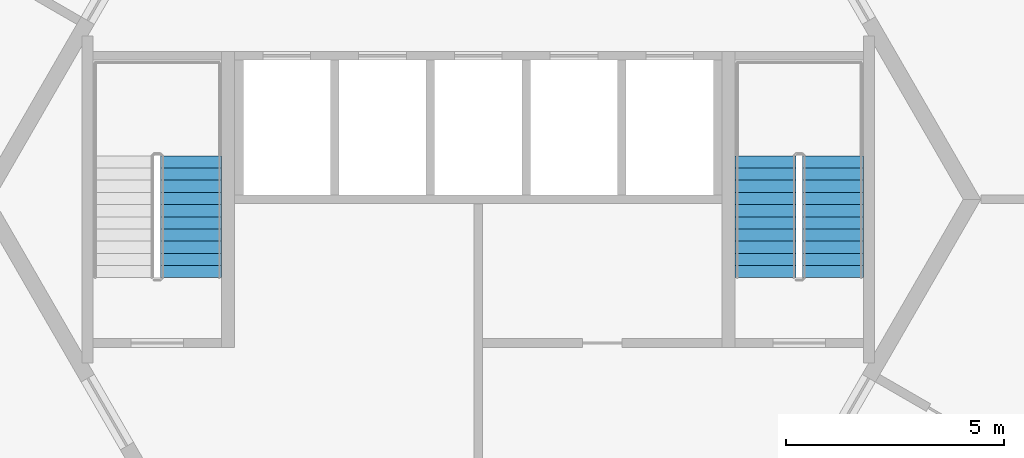
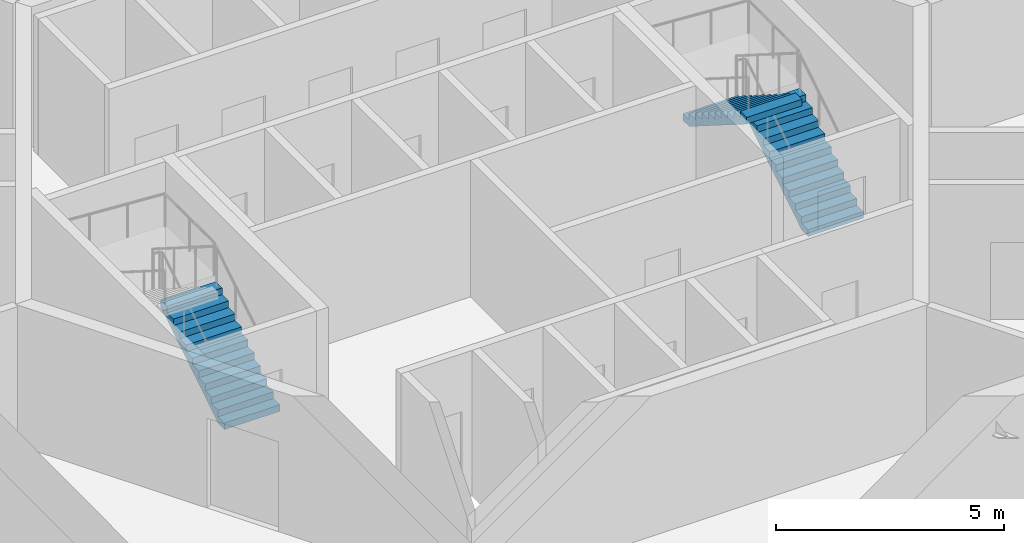
# One storey, part 11 of 12: 3 stair flights, 2 elements without a shape of their own.
"""IFC4 building model written with IfcOpenShell, lengths in metres."""

from ifc_helpers import new_model, si_unit, direction, frame, origin, place, context, subcontext, project, spatial, polyline, outline, extrude, material, type_object, element, aggregate, save


model = new_model("IFC4")

# Units and contexts
model_context = context("Model", 3, precision=1e-05, world=origin(), true_north=direction((0.0, 1.0)))
body_context = subcontext(model_context, "Body", "Model", "MODEL_VIEW")
ifc_project = project(units=[si_unit("LENGTHUNIT", "METRE"), si_unit("AREAUNIT", "SQUARE_METRE"), si_unit("VOLUMEUNIT", "CUBIC_METRE"), si_unit("PLANEANGLEUNIT", "RADIAN"), si_unit("MASSUNIT", "GRAM", prefix="KILO")], contexts=[model_context])

# Site, building, storey
site_placement = place(None, origin())
site = spatial("IfcSite", under=ifc_project, at=site_placement, CompositionType="ELEMENT")
building_placement = place(site_placement, origin())
building = spatial("IfcBuilding", under=site, at=building_placement, Name="Tarnside Tower", CompositionType="ELEMENT")
storey_placement = place(building_placement, frame((0.0, 0.0, 76.5)))
storey = spatial("IfcBuildingStorey", under=building, at=storey_placement, Name="L16", CompositionType="ELEMENT", Elevation=76.5)

# Stair, stair flights
ifc_material = material(Name="Concrete C40/50", Category="concrete")
stair_type = type_object("IfcStairType", Name="Exit stair 1400 clear", PredefinedType="HALF_TURN_STAIR", material=ifc_material)
stair_1_placement = place(storey_placement, origin())
stair_1 = element("IfcStair", 1, at=stair_1_placement, inside=storey, type_object=stair_type, Name="L16 Exit stair 1", PredefinedType="HALF_TURN_STAIR")
stair_flight_type = type_object("IfcStairFlightType", Name="Exit stair flight 1400", PredefinedType="STRAIGHT", material=ifc_material)
stair_flight_1_placement = place(storey_placement, frame((8.14990234375, -1.800048828125, 0.0), z_axis=(0.0, 0.0, 1.0), x_axis=(0.0, 1.0, 0.0)))
stair_flight_1 = element("IfcStairFlight", 2, at=stair_flight_1_placement, type_object=stair_flight_type, Name="ST1 flight 1", NumberOfRisers=11, NumberOfTreads=10, PredefinedType="STRAIGHT", RiserHeight=0.177272727, TreadLength=0.28, context=body_context, shape_type="SweptSolid", body=[
    extrude(outline(polyline([(0.0, 0.0), (0.0, 0.17724609375), (0.280029296875, 0.17724609375), (0.280029296875, 0.3544921875), (0.56005859375, 0.3544921875), (0.56005859375, 0.53173828125), (0.840087890625, 0.53173828125), (0.840087890625, 0.708984375), (1.1201171875, 0.708984375), (1.1201171875, 0.886474609375), (1.39990234375, 0.886474609375), (1.39990234375, 1.063720703125), (1.679931640625, 1.063720703125), (1.679931640625, 1.240966796875), (1.9599609375, 1.240966796875), (1.9599609375, 1.418212890625), (2.239990234375, 1.418212890625), (2.239990234375, 1.595458984375), (2.52001953125, 1.595458984375), (2.52001953125, 1.772705078125), (2.800048828125, 1.772705078125), (2.800048828125, 1.949951171875), (2.800048828125, 1.59521484375), (0.2802734375, 0.0), (0.0, 0.0)])), frame((0.0, 0.699951171875, 0.0), z_axis=(0.0, -1.0, 0.0), x_axis=(1.0, 0.0, 0.0)), (0.0, 0.0, 1.0), 1.39990234375),
])
stair_flight_2_placement = place(storey_placement, frame((6.60009765625, 1.0, 1.949951171875), z_axis=(0.0, 0.0, 1.0), x_axis=(0.0, -1.0, 0.0)))
stair_flight_2 = element("IfcStairFlight", 3, at=stair_flight_2_placement, type_object=stair_flight_type, Name="ST1 flight 2", NumberOfRisers=11, NumberOfTreads=10, PredefinedType="STRAIGHT", RiserHeight=0.177272727, TreadLength=0.28, context=body_context, shape_type="SweptSolid", body=[
    extrude(outline(polyline([(0.0, 0.0), (0.0, 0.17724609375), (0.280029296875, 0.17724609375), (0.280029296875, 0.3544921875), (0.56005859375, 0.3544921875), (0.56005859375, 0.53173828125), (0.840087890625, 0.53173828125), (0.840087890625, 0.708984375), (1.1201171875, 0.708984375), (1.1201171875, 0.886474609375), (1.39990234375, 0.886474609375), (1.39990234375, 1.063720703125), (1.679931640625, 1.063720703125), (1.679931640625, 1.240966796875), (1.9599609375, 1.240966796875), (1.9599609375, 1.418212890625), (2.239990234375, 1.418212890625), (2.239990234375, 1.595458984375), (2.52001953125, 1.595458984375), (2.52001953125, 1.772705078125), (2.800048828125, 1.772705078125), (2.800048828125, 1.949951171875), (2.800048828125, 1.59521484375), (0.2802734375, 0.0), (0.0, 0.0)])), frame((0.0, 0.699951171875, 0.0), z_axis=(0.0, -1.0, 0.0), x_axis=(1.0, 0.0, 0.0)), (0.0, 0.0, 1.0), 1.39990234375),
])
aggregate(stair_1, [stair_flight_1, stair_flight_2])

# Stair, stair flight
stair_2_placement = place(storey_placement, origin())
stair_2 = element("IfcStair", 4, at=stair_2_placement, inside=storey, type_object=stair_type, Name="L16 Exit stair 2", PredefinedType="HALF_TURN_STAIR")
stair_flight_3_placement = place(storey_placement, frame((-6.60009765625, -1.800048828125, 0.0), z_axis=(0.0, 0.0, 1.0), x_axis=(0.0, 1.0, 0.0)))
stair_flight_3 = element("IfcStairFlight", 5, at=stair_flight_3_placement, type_object=stair_flight_type, Name="ST2 flight 1", NumberOfRisers=11, NumberOfTreads=10, PredefinedType="STRAIGHT", RiserHeight=0.177272727, TreadLength=0.28, context=body_context, shape_type="SweptSolid", body=[
    extrude(outline(polyline([(0.0, 0.0), (0.0, 0.17724609375), (0.280029296875, 0.17724609375), (0.280029296875, 0.3544921875), (0.56005859375, 0.3544921875), (0.56005859375, 0.53173828125), (0.840087890625, 0.53173828125), (0.840087890625, 0.708984375), (1.1201171875, 0.708984375), (1.1201171875, 0.886474609375), (1.39990234375, 0.886474609375), (1.39990234375, 1.063720703125), (1.679931640625, 1.063720703125), (1.679931640625, 1.240966796875), (1.9599609375, 1.240966796875), (1.9599609375, 1.418212890625), (2.239990234375, 1.418212890625), (2.239990234375, 1.595458984375), (2.52001953125, 1.595458984375), (2.52001953125, 1.772705078125), (2.800048828125, 1.772705078125), (2.800048828125, 1.949951171875), (2.800048828125, 1.59521484375), (0.2802734375, 0.0), (0.0, 0.0)])), frame((0.0, 0.699951171875, 0.0), z_axis=(0.0, -1.0, 0.0), x_axis=(1.0, 0.0, 0.0)), (0.0, 0.0, 1.0), 1.39990234375),
])
aggregate(stair_2, [stair_flight_3])

save(model, "model.ifc")
